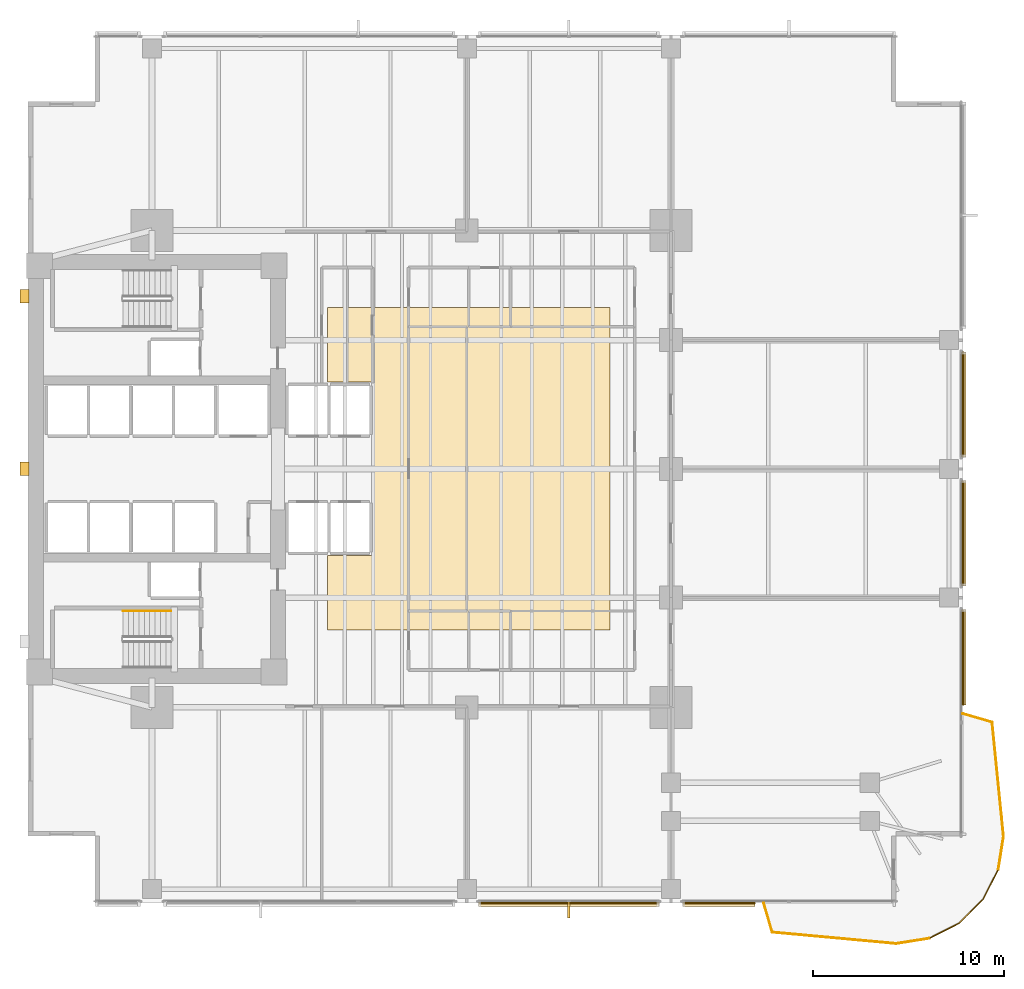
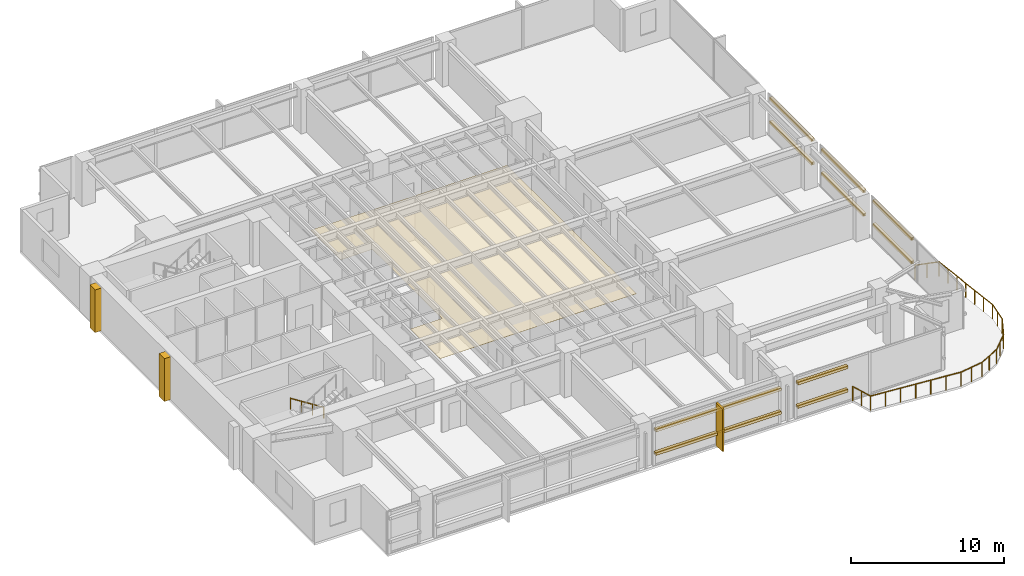
# One storey, part 13 of 15: 14 coverings, 10 railings, 10 shading devices.
"""IFC4 building model written with IfcOpenShell, lengths in metres."""

from ifc_helpers import new_model, si_unit, direction, frame, origin, origin_2d, place, context, subcontext, project, spatial, polyline, rectangle, circle, outline, extrude, material, layer, layer_set, material_profile, profile_set, type_object, element, save


model = new_model("IFC4")

# Units and contexts
model_context = context("Model", 3, precision=1e-05, world=origin(), true_north=direction((0.0, 1.0)))
body_context = subcontext(model_context, "Body", "Model", "MODEL_VIEW")
ifc_project = project(units=[si_unit("LENGTHUNIT", "METRE"), si_unit("AREAUNIT", "SQUARE_METRE"), si_unit("VOLUMEUNIT", "CUBIC_METRE"), si_unit("PLANEANGLEUNIT", "RADIAN"), si_unit("MASSUNIT", "GRAM", prefix="KILO")], contexts=[model_context])

# Site, building, storey
site_placement = place(None, origin())
site = spatial("IfcSite", under=ifc_project, at=site_placement, CompositionType="ELEMENT")
building_placement = place(site_placement, origin())
building = spatial("IfcBuilding", under=site, at=building_placement, Name="Kinhvarn Gate Tower", CompositionType="ELEMENT")
storey_placement = place(building_placement, frame((0.0, 0.0, 32.699951171875)))
storey = spatial("IfcBuildingStorey", under=building, at=storey_placement, Name="L07", CompositionType="ELEMENT", Elevation=32.699951171875)

# Coverings
ifc_material_1 = material(Name="Fired architectural terracotta", Category="masonry")
ifc_layer_1 = layer(ifc_material_1, 0.239990234375)
ifc_layer_set_1 = layer_set([ifc_layer_1], Name="Fired architectural terracotta")
covering_type_1 = type_object("IfcCoveringType", Name="COV-BAG-220", PredefinedType="CLADDING", material=ifc_layer_set_1)
covering_1_placement = place(storey_placement, frame((0.0, 0.0, 0.93994140625)))
element("IfcCovering", 1, at=covering_1_placement, inside=storey, type_object=covering_type_1, Name="Terracotta Horizontal Sunscreen Band TBG-220 (L07)", PredefinedType="CLADDING", context=body_context, shape_type="SweptSolid", body=[
    extrude(outline(polyline([(28.1201171875, 2.56005859375), (37.580078125, 2.56005859375), (37.580078125, 2.320068359375), (28.1201171875, 2.320068359375), (28.1201171875, 2.56005859375)])), origin(), (0.0, 0.0, 1.0), 0.22021484375),
])
covering_2_placement = place(storey_placement, frame((0.0, 0.0, 2.81005859375)))
element("IfcCovering", 2, at=covering_2_placement, inside=storey, type_object=covering_type_1, Name="Terracotta Horizontal Sunscreen Band TBG-220 (L07)", PredefinedType="CLADDING", context=body_context, shape_type="SweptSolid", body=[
    extrude(outline(polyline([(28.1201171875, 2.56005859375), (37.580078125, 2.56005859375), (37.580078125, 2.320068359375), (28.1201171875, 2.320068359375), (28.1201171875, 2.56005859375)])), origin(), (0.0, 0.0, 1.0), 0.219970703125),
])
covering_3_placement = place(storey_placement, frame((0.0, 0.0, 0.93994140625)))
element("IfcCovering", 3, at=covering_3_placement, inside=storey, type_object=covering_type_1, Name="Terracotta Horizontal Sunscreen Band TBG-220 (L07)", PredefinedType="CLADDING", context=body_context, shape_type="SweptSolid", body=[
    extrude(outline(polyline([(38.820068359375, 2.56005859375), (42.614013671875, 2.56005859375), (42.614013671875, 2.320068359375), (38.820068359375, 2.320068359375), (38.820068359375, 2.56005859375)])), origin(), (0.0, 0.0, 1.0), 0.22021484375),
])
covering_4_placement = place(storey_placement, frame((0.0, 0.0, 2.81005859375)))
element("IfcCovering", 4, at=covering_4_placement, inside=storey, type_object=covering_type_1, Name="Terracotta Horizontal Sunscreen Band TBG-220 (L07)", PredefinedType="CLADDING", context=body_context, shape_type="SweptSolid", body=[
    extrude(outline(polyline([(38.820068359375, 2.56005859375), (42.614013671875, 2.56005859375), (42.614013671875, 2.320068359375), (38.820068359375, 2.320068359375), (38.820068359375, 2.56005859375)])), origin(), (0.0, 0.0, 1.0), 0.219970703125),
])
covering_5_placement = place(storey_placement, frame((0.0, 0.0, 0.93994140625)))
element("IfcCovering", 5, at=covering_5_placement, inside=storey, type_object=covering_type_1, Name="Terracotta Horizontal Sunscreen Band TBG-220 (L07)", PredefinedType="CLADDING", context=body_context, shape_type="SweptSolid", body=[
    extrude(outline(polyline([(53.43994140625, 12.865966796875), (53.43994140625, 17.8798828125), (53.679931640625, 17.8798828125), (53.679931640625, 12.865966796875), (53.43994140625, 12.865966796875)])), origin(), (0.0, 0.0, 1.0), 0.22021484375),
])
covering_6_placement = place(storey_placement, frame((0.0, 0.0, 2.81005859375)))
element("IfcCovering", 6, at=covering_6_placement, inside=storey, type_object=covering_type_1, Name="Terracotta Horizontal Sunscreen Band TBG-220 (L07)", PredefinedType="CLADDING", context=body_context, shape_type="SweptSolid", body=[
    extrude(outline(polyline([(53.43994140625, 12.865966796875), (53.43994140625, 17.8798828125), (53.679931640625, 17.8798828125), (53.679931640625, 12.865966796875), (53.43994140625, 12.865966796875)])), origin(), (0.0, 0.0, 1.0), 0.219970703125),
])
covering_7_placement = place(storey_placement, frame((0.0, 0.0, 0.93994140625)))
element("IfcCovering", 7, at=covering_7_placement, inside=storey, type_object=covering_type_1, Name="Terracotta Horizontal Sunscreen Band TBG-220 (L07)", PredefinedType="CLADDING", context=body_context, shape_type="SweptSolid", body=[
    extrude(outline(polyline([(53.43994140625, 19.1201171875), (53.43994140625, 24.6298828125), (53.679931640625, 24.6298828125), (53.679931640625, 19.1201171875), (53.43994140625, 19.1201171875)])), origin(), (0.0, 0.0, 1.0), 0.22021484375),
])
covering_8_placement = place(storey_placement, frame((0.0, 0.0, 2.81005859375)))
element("IfcCovering", 8, at=covering_8_placement, inside=storey, type_object=covering_type_1, Name="Terracotta Horizontal Sunscreen Band TBG-220 (L07)", PredefinedType="CLADDING", context=body_context, shape_type="SweptSolid", body=[
    extrude(outline(polyline([(53.43994140625, 19.1201171875), (53.43994140625, 24.6298828125), (53.679931640625, 24.6298828125), (53.679931640625, 19.1201171875), (53.43994140625, 19.1201171875)])), origin(), (0.0, 0.0, 1.0), 0.219970703125),
])
covering_9_placement = place(storey_placement, frame((0.0, 0.0, 0.93994140625)))
element("IfcCovering", 9, at=covering_9_placement, inside=storey, type_object=covering_type_1, Name="Terracotta Horizontal Sunscreen Band TBG-220 (L07)", PredefinedType="CLADDING", context=body_context, shape_type="SweptSolid", body=[
    extrude(outline(polyline([(53.43994140625, 25.8701171875), (53.43994140625, 31.3798828125), (53.679931640625, 31.3798828125), (53.679931640625, 25.8701171875), (53.43994140625, 25.8701171875)])), origin(), (0.0, 0.0, 1.0), 0.22021484375),
])
covering_10_placement = place(storey_placement, frame((0.0, 0.0, 2.81005859375)))
element("IfcCovering", 10, at=covering_10_placement, inside=storey, type_object=covering_type_1, Name="Terracotta Horizontal Sunscreen Band TBG-220 (L07)", PredefinedType="CLADDING", context=body_context, shape_type="SweptSolid", body=[
    extrude(outline(polyline([(53.43994140625, 25.8701171875), (53.43994140625, 31.3798828125), (53.679931640625, 31.3798828125), (53.679931640625, 25.8701171875), (53.43994140625, 25.8701171875)])), origin(), (0.0, 0.0, 1.0), 0.219970703125),
])
ifc_material_2 = material(Name="Mineral-fibre acoustic ceiling tile")
ifc_layer_2 = layer(ifc_material_2, 0.02001953125)
ifc_layer_set_2 = layer_set([ifc_layer_2], Name="Mineral-fibre acoustic ceiling tile")
covering_type_2 = type_object("IfcCoveringType", Name="COV-CEIL-20", PredefinedType="CEILING", material=ifc_layer_set_2)
covering_11_placement = place(storey_placement, frame((0.0, 0.0, 2.650146484375)))
element("IfcCovering", 11, at=covering_11_placement, inside=storey, type_object=covering_type_2, Name="Suspended Acoustic Ceiling Tile (L07-1)", PredefinedType="CEILING", context=body_context, shape_type="SweptSolid", body=[
    extrude(outline(polyline([(35.0, 33.699951171875), (35.0, 16.800048828125), (20.199951171875, 16.800048828125), (20.199951171875, 20.699951171875), (22.60009765625, 20.699951171875), (22.60009765625, 29.800048828125), (20.199951171875, 29.800048828125), (20.199951171875, 33.699951171875), (35.0, 33.699951171875)])), origin(), (0.0, 0.0, 1.0), 0.02001953125),
])
ifc_layer_3 = layer(ifc_material_1, 0.139892578125)
ifc_layer_set_3 = layer_set([ifc_layer_3], Name="Fired architectural terracotta")
covering_type_3 = type_object("IfcCoveringType", Name="COV-FIN-850", PredefinedType="CLADDING", material=ifc_layer_set_3)
covering_12_placement = place(storey_placement, frame((0.0, 0.0, -0.02001953125)))
element("IfcCovering", 12, at=covering_12_placement, inside=storey, type_object=covering_type_3, Name="Vertical Terracotta Expressive Fin TFN-850 (L07)", PredefinedType="CLADDING", context=body_context, shape_type="SweptSolid", body=[
    extrude(outline(polyline([(32.780029296875, 2.570068359375), (32.919921875, 2.570068359375), (32.919921875, 1.719970703125), (32.780029296875, 1.719970703125), (32.780029296875, 2.570068359375)])), origin(), (0.0, 0.0, 1.0), 3.41015625),
])
ifc_material_3 = material(Name="Precast white architectural concrete C40/50", Category="concrete")
ifc_layer_4 = layer(ifc_material_3, 0.47998046875)
ifc_layer_set_4 = layer_set([ifc_layer_4], Name="Precast white architectural concrete C40/50")
covering_type_4 = type_object("IfcCoveringType", Name="COV-RIB-450", PredefinedType="CLADDING", material=ifc_layer_set_4)
covering_13_placement = place(storey_placement, frame((0.0, 0.0, -0.02001953125)))
element("IfcCovering", 13, at=covering_13_placement, inside=storey, type_object=covering_type_4, Name="West Core Sculptural Concrete Relief Rib CRB-450 (L07)", PredefinedType="CLADDING", context=body_context, shape_type="SweptSolid", body=[
    extrude(outline(polyline([(4.080078125, 24.89990234375), (4.56005859375, 24.89990234375), (4.56005859375, 25.60009765625), (4.080078125, 25.60009765625), (4.080078125, 24.89990234375)])), origin(), (0.0, 0.0, 1.0), 3.41015625),
])
covering_14_placement = place(storey_placement, frame((0.0, 0.0, -0.02001953125)))
element("IfcCovering", 14, at=covering_14_placement, inside=storey, type_object=covering_type_4, Name="West Core Sculptural Concrete Relief Rib CRB-450 (L07)", PredefinedType="CLADDING", context=body_context, shape_type="SweptSolid", body=[
    extrude(outline(polyline([(4.080078125, 33.949951171875), (4.56005859375, 33.949951171875), (4.56005859375, 34.64990234375), (4.080078125, 34.64990234375), (4.080078125, 33.949951171875)])), origin(), (0.0, 0.0, 1.0), 3.41015625),
])

# Railings
ifc_material_4 = material(Name="Clear low-e double glazing", Category="glass")
railing_type_1 = type_object("IfcRailingType", Name="RL-BAL-1150", PredefinedType="BALUSTRADE", material=ifc_material_4)
railing_1_placement = place(storey_placement, frame((43.06396484375, 2.5, 0.0)))
element("IfcRailing", 15, at=railing_1_placement, inside=storey, type_object=railing_type_1, Name="S-Carve Balcony Guardrail Seg 1 (L07)", PredefinedType="BALUSTRADE", context=body_context, shape_type="SweptSolid", body=[
    extrude(circle(Radius=0.02392578125, at=origin_2d()), frame((0.0, 0.0, 1.1259765625), z_axis=(0.280936423121, -0.959726380884, 0.0), x_axis=(0.959726380884, 0.280936423121, 0.0)), (0.0, 0.0, 1.0), 1.6015625),
    extrude(circle(Radius=0.02099609375, at=origin_2d()), origin(), (0.0, 0.0, 1.0), 1.101806640625),
    extrude(circle(Radius=0.02099609375, at=origin_2d()), frame((0.22509765625, -0.7685546875, 0.0)), (0.0, 0.0, 1.0), 1.101806640625),
    extrude(circle(Radius=0.02099609375, at=origin_2d()), frame((0.449951171875, -1.537109375, 0.0)), (0.0, 0.0, 1.0), 1.101806640625),
])
railing_2_placement = place(storey_placement, frame((43.513916015625, 0.962890625, 0.0)))
element("IfcRailing", 16, at=railing_2_placement, inside=storey, type_object=railing_type_1, Name="S-Carve Balcony Guardrail Seg 2 (L07)", PredefinedType="BALUSTRADE", context=body_context, shape_type="SweptSolid", body=[
    extrude(circle(Radius=0.02392578125, at=origin_2d()), frame((0.0, 0.0, 1.1259765625), z_axis=(0.995778124295, -0.091792849264, 0.0), x_axis=(0.091792849264, 0.995778124295, 0.0)), (0.0, 0.0, 1.0), 6.513671875),
    extrude(circle(Radius=0.02099609375, at=origin_2d()), origin(), (0.0, 0.0, 1.0), 1.101806640625),
    extrude(circle(Radius=0.02099609375, at=origin_2d()), frame((1.0810546875, -0.099609375, 0.0)), (0.0, 0.0, 1.0), 1.101806640625),
    extrude(circle(Radius=0.02099609375, at=origin_2d()), frame((2.162109375, -0.19921875, 0.0)), (0.0, 0.0, 1.0), 1.101806640625),
    extrude(circle(Radius=0.02099609375, at=origin_2d()), frame((3.2431640625, -0.298828125, 0.0)), (0.0, 0.0, 1.0), 1.101806640625),
    extrude(circle(Radius=0.02099609375, at=origin_2d()), frame((4.323974609375, -0.398681640625, 0.0)), (0.0, 0.0, 1.0), 1.101806640625),
    extrude(circle(Radius=0.02099609375, at=origin_2d()), frame((5.405029296875, -0.498291015625, 0.0)), (0.0, 0.0, 1.0), 1.101806640625),
    extrude(circle(Radius=0.02099609375, at=origin_2d()), frame((6.486083984375, -0.597900390625, 0.0)), (0.0, 0.0, 1.0), 1.101806640625),
])
railing_3_placement = place(storey_placement, frame((50.0, 0.364990234375, 0.0)))
element("IfcRailing", 17, at=railing_3_placement, inside=storey, type_object=railing_type_1, Name="S-Carve Balcony Guardrail Seg 3 (L07)", PredefinedType="BALUSTRADE", context=body_context, shape_type="SweptSolid", body=[
    extrude(circle(Radius=0.02392578125, at=origin_2d()), frame((0.0, 0.0, 1.1259765625), z_axis=(0.98767973375, 0.15648879685, 0.0), x_axis=(-0.15648879685, 0.98767973375, 0.0)), (0.0, 0.0, 1.0), 1.762939453125),
    extrude(circle(Radius=0.02099609375, at=origin_2d()), origin(), (0.0, 0.0, 1.0), 1.101806640625),
    extrude(circle(Radius=0.02099609375, at=origin_2d()), frame((0.87060546875, 0.137939453125, 0.0)), (0.0, 0.0, 1.0), 1.101806640625),
    extrude(circle(Radius=0.02099609375, at=origin_2d()), frame((1.7412109375, 0.27587890625, 0.0)), (0.0, 0.0, 1.0), 1.101806640625),
])
railing_4_placement = place(storey_placement, frame((51.7412109375, 0.640869140625, 0.0)))
element("IfcRailing", 18, at=railing_4_placement, inside=storey, type_object=railing_type_1, Name="S-Carve Balcony Guardrail Seg 4 (L07)", PredefinedType="BALUSTRADE", context=body_context, shape_type="SweptSolid", body=[
    extrude(circle(Radius=0.02392578125, at=origin_2d()), frame((0.0, 0.0, 1.1259765625), z_axis=(0.891051120489, 0.453902963942, 0.0), x_axis=(-0.453902963942, 0.891051120489, 0.0)), (0.0, 0.0, 1.0), 1.76318359375),
    extrude(circle(Radius=0.02099609375, at=origin_2d()), origin(), (0.0, 0.0, 1.0), 1.101806640625),
    extrude(circle(Radius=0.02099609375, at=origin_2d()), frame((0.78564453125, 0.400146484375, 0.0)), (0.0, 0.0, 1.0), 1.101806640625),
    extrude(circle(Radius=0.02099609375, at=origin_2d()), frame((1.571044921875, 0.80029296875, 0.0)), (0.0, 0.0, 1.0), 1.101806640625),
])
railing_5_placement = place(storey_placement, frame((53.312255859375, 1.441162109375, 0.0)))
element("IfcRailing", 19, at=railing_5_placement, inside=storey, type_object=railing_type_1, Name="S-Carve Balcony Guardrail Seg 5 (L07)", PredefinedType="BALUSTRADE", context=body_context, shape_type="SweptSolid", body=[
    extrude(circle(Radius=0.02392578125, at=origin_2d()), frame((0.0, 0.0, 1.1259765625), z_axis=(0.707106781187, 0.707106781187, 0.0), x_axis=(-0.707106781187, 0.707106781187, 0.0)), (0.0, 0.0, 1.0), 1.762939453125),
    extrude(circle(Radius=0.02099609375, at=origin_2d()), origin(), (0.0, 0.0, 1.0), 1.101806640625),
    extrude(circle(Radius=0.02099609375, at=origin_2d()), frame((0.623291015625, 0.623291015625, 0.0)), (0.0, 0.0, 1.0), 1.101806640625),
    extrude(circle(Radius=0.02099609375, at=origin_2d()), frame((1.24658203125, 1.24658203125, 0.0)), (0.0, 0.0, 1.0), 1.101806640625),
])
railing_6_placement = place(storey_placement, frame((54.558837890625, 2.687744140625, 0.0)))
element("IfcRailing", 20, at=railing_6_placement, inside=storey, type_object=railing_type_1, Name="S-Carve Balcony Guardrail Seg 6 (L07)", PredefinedType="BALUSTRADE", context=body_context, shape_type="SweptSolid", body=[
    extrude(circle(Radius=0.02392578125, at=origin_2d()), frame((0.0, 0.0, 1.1259765625), z_axis=(0.453902963942, 0.891051120489, 0.0), x_axis=(-0.891051120489, 0.453902963942, 0.0)), (0.0, 0.0, 1.0), 1.76318359375),
    extrude(circle(Radius=0.02099609375, at=origin_2d()), origin(), (0.0, 0.0, 1.0), 1.101806640625),
    extrude(circle(Radius=0.02099609375, at=origin_2d()), frame((0.400146484375, 0.78564453125, 0.0)), (0.0, 0.0, 1.0), 1.101806640625),
    extrude(circle(Radius=0.02099609375, at=origin_2d()), frame((0.80029296875, 1.571044921875, 0.0)), (0.0, 0.0, 1.0), 1.101806640625),
])
railing_7_placement = place(storey_placement, frame((55.359130859375, 4.2587890625, 0.0)))
element("IfcRailing", 21, at=railing_7_placement, inside=storey, type_object=railing_type_1, Name="S-Carve Balcony Guardrail Seg 7 (L07)", PredefinedType="BALUSTRADE", context=body_context, shape_type="SweptSolid", body=[
    extrude(circle(Radius=0.02392578125, at=origin_2d()), frame((0.0, 0.0, 1.1259765625), z_axis=(0.15648879685, 0.98767973375, 0.0), x_axis=(-0.98767973375, 0.15648879685, 0.0)), (0.0, 0.0, 1.0), 1.762939453125),
    extrude(circle(Radius=0.02099609375, at=origin_2d()), origin(), (0.0, 0.0, 1.0), 1.101806640625),
    extrude(circle(Radius=0.02099609375, at=origin_2d()), frame((0.137939453125, 0.87060546875, 0.0)), (0.0, 0.0, 1.0), 1.101806640625),
    extrude(circle(Radius=0.02099609375, at=origin_2d()), frame((0.27587890625, 1.7412109375, 0.0)), (0.0, 0.0, 1.0), 1.101806640625),
])
railing_8_placement = place(storey_placement, frame((55.635009765625, 6.0, 0.0)))
element("IfcRailing", 22, at=railing_8_placement, inside=storey, type_object=railing_type_1, Name="S-Carve Balcony Guardrail Seg 8 (L07)", PredefinedType="BALUSTRADE", context=body_context, shape_type="SweptSolid", body=[
    extrude(circle(Radius=0.02392578125, at=origin_2d()), frame((0.0, 0.0, 1.1259765625), z_axis=(-0.0997173833, 0.995015800612, 0.0), x_axis=(-0.995015800612, -0.0997173833, 0.0)), (0.0, 0.0, 1.0), 5.995849609375),
    extrude(circle(Radius=0.02099609375, at=origin_2d()), origin(), (0.0, 0.0, 1.0), 1.101806640625),
    extrude(circle(Radius=0.02099609375, at=origin_2d()), frame((-0.099609375, 0.994384765625, 0.0)), (0.0, 0.0, 1.0), 1.101806640625),
    extrude(circle(Radius=0.02099609375, at=origin_2d()), frame((-0.19921875, 1.98876953125, 0.0)), (0.0, 0.0, 1.0), 1.101806640625),
    extrude(circle(Radius=0.02099609375, at=origin_2d()), frame((-0.298828125, 2.98291015625, 0.0)), (0.0, 0.0, 1.0), 1.101806640625),
    extrude(circle(Radius=0.02099609375, at=origin_2d()), frame((-0.398681640625, 3.977294921875, 0.0)), (0.0, 0.0, 1.0), 1.101806640625),
    extrude(circle(Radius=0.02099609375, at=origin_2d()), frame((-0.498291015625, 4.9716796875, 0.0)), (0.0, 0.0, 1.0), 1.101806640625),
    extrude(circle(Radius=0.02099609375, at=origin_2d()), frame((-0.597900390625, 5.966064453125, 0.0)), (0.0, 0.0, 1.0), 1.101806640625),
])
railing_9_placement = place(storey_placement, frame((55.037109375, 11.966064453125, 0.0)))
element("IfcRailing", 23, at=railing_9_placement, inside=storey, type_object=railing_type_1, Name="S-Carve Balcony Guardrail Seg 9 (L07)", PredefinedType="BALUSTRADE", context=body_context, shape_type="SweptSolid", body=[
    extrude(circle(Radius=0.02392578125, at=origin_2d()), frame((0.0, 0.0, 1.1259765625), z_axis=(-0.959726380884, 0.280936423121, 0.0), x_axis=(-0.280936423121, -0.959726380884, 0.0)), (0.0, 0.0, 1.0), 1.6015625),
    extrude(circle(Radius=0.02099609375, at=origin_2d()), origin(), (0.0, 0.0, 1.0), 1.101806640625),
    extrude(circle(Radius=0.02099609375, at=origin_2d()), frame((-0.7685546875, 0.22509765625, 0.0)), (0.0, 0.0, 1.0), 1.101806640625),
    extrude(circle(Radius=0.02099609375, at=origin_2d()), frame((-1.537109375, 0.449951171875, 0.0)), (0.0, 0.0, 1.0), 1.101806640625),
])
ifc_material_5 = material(Name="Steel S355", Category="steel")
railing_type_2 = type_object("IfcRailingType", Name="RL-ST-HND", PredefinedType="HANDRAIL", material=ifc_material_5)
railing_10_placement = place(storey_placement, frame((12.0, 17.800048828125, 0.177490234375)))
element("IfcRailing", 24, at=railing_10_placement, inside=storey, type_object=railing_type_2, Name="L07 ST1 stair handrail 1", PredefinedType="HANDRAIL", context=body_context, shape_type="SweptSolid", body=[
    extrude(circle(Radius=0.02392578125, at=origin_2d()), frame((0.0, 0.0, 0.8759765625), z_axis=(-0.84456994832, 0.0, 0.535445237532), x_axis=(0.0, -1.0, 0.0)), (0.0, 0.0, 1.0), 2.98388671875),
    extrude(circle(Radius=0.02099609375, at=origin_2d()), origin(), (0.0, 0.0, 1.0), 0.851806640625),
    extrude(circle(Radius=0.02099609375, at=origin_2d()), frame((-0.840087890625, 0.0, 0.532470703125)), (0.0, 0.0, 1.0), 0.851806640625),
    extrude(circle(Radius=0.02099609375, at=origin_2d()), frame((-1.679931640625, 0.0, 1.065185546875)), (0.0, 0.0, 1.0), 0.851806640625),
    extrude(circle(Radius=0.02099609375, at=origin_2d()), frame((-2.52001953125, 0.0, 1.59765625)), (0.0, 0.0, 1.0), 0.851806640625),
])

# Shading devices
ifc_material_profile = material_profile(ifc_material_1, rectangle(XDim=0.06005859375, YDim=0.139892578125, at=origin_2d()), Name="TC 60x140")
ifc_profile_set = profile_set([ifc_material_profile], Name="Fired architectural terracotta")
shading_device_type = type_object("IfcShadingDeviceType", Name="SHD-BAG-180", PredefinedType="USERDEFINED", material=ifc_profile_set)
for number, where, z_axis, x_axis, name in (
    (25, (28.1201171875, 2.485107421875, 1.050048828125), (1.0, 0.0, 0.0), (0.0, 1.0, 0.0), "Fired Terracotta Baguette Screen Rod 60x140 mm (L07)"),
    (26, (28.1201171875, 2.485107421875, 2.920166015625), (1.0, 0.0, 0.0), (0.0, 1.0, 0.0), "Fired Terracotta Baguette Screen Rod 60x140 mm (L07)"),
):
    element("IfcShadingDevice", number, at=place(storey_placement, frame(where, z_axis=z_axis, x_axis=x_axis)), inside=storey, type_object=shading_device_type, Name=name, ObjectType="BAGUETTE", PredefinedType="USERDEFINED", context=body_context, shape_type="SweptSolid", body=[
        extrude(rectangle(XDim=0.06005859375, YDim=0.139892578125, at=origin_2d()), origin(), (0.0, 0.0, 1.0), 9.4599609375),
    ])
for number, where, z_axis, x_axis, name in (
    (27, (38.820068359375, 2.485107421875, 1.050048828125), (1.0, 0.0, 0.0), (0.0, 1.0, 0.0), "Fired Terracotta Baguette Screen Rod 60x140 mm (L07)"),
    (28, (38.820068359375, 2.485107421875, 2.920166015625), (1.0, 0.0, 0.0), (0.0, 1.0, 0.0), "Fired Terracotta Baguette Screen Rod 60x140 mm (L07)"),
):
    element("IfcShadingDevice", number, at=place(storey_placement, frame(where, z_axis=z_axis, x_axis=x_axis)), inside=storey, type_object=shading_device_type, Name=name, ObjectType="BAGUETTE", PredefinedType="USERDEFINED", context=body_context, shape_type="SweptSolid", body=[
        extrude(rectangle(XDim=0.06005859375, YDim=0.139892578125, at=origin_2d()), origin(), (0.0, 0.0, 1.0), 3.7939453125),
    ])
for number, where, z_axis, x_axis, name in (
    (29, (53.514892578125, 12.865966796875, 1.050048828125), (0.0, 1.0, 0.0), (-1.0, 0.0, 0.0), "Fired Terracotta Baguette Screen Rod 60x140 mm (L07)"),
    (30, (53.514892578125, 12.865966796875, 2.920166015625), (0.0, 1.0, 0.0), (-1.0, 0.0, 0.0), "Fired Terracotta Baguette Screen Rod 60x140 mm (L07)"),
):
    element("IfcShadingDevice", number, at=place(storey_placement, frame(where, z_axis=z_axis, x_axis=x_axis)), inside=storey, type_object=shading_device_type, Name=name, ObjectType="BAGUETTE", PredefinedType="USERDEFINED", context=body_context, shape_type="SweptSolid", body=[
        extrude(rectangle(XDim=0.06005859375, YDim=0.139892578125, at=origin_2d()), origin(), (0.0, 0.0, 1.0), 5.013916015625),
    ])
for number, where, z_axis, x_axis, name in (
    (31, (53.514892578125, 19.1201171875, 1.050048828125), (0.0, 1.0, 0.0), (-1.0, 0.0, 0.0), "Fired Terracotta Baguette Screen Rod 60x140 mm (L07)"),
    (32, (53.514892578125, 19.1201171875, 2.920166015625), (0.0, 1.0, 0.0), (-1.0, 0.0, 0.0), "Fired Terracotta Baguette Screen Rod 60x140 mm (L07)"),
    (33, (53.514892578125, 25.8701171875, 1.050048828125), (0.0, 1.0, 0.0), (-1.0, 0.0, 0.0), "Fired Terracotta Baguette Screen Rod 60x140 mm (L07)"),
    (34, (53.514892578125, 25.8701171875, 2.920166015625), (0.0, 1.0, 0.0), (-1.0, 0.0, 0.0), "Fired Terracotta Baguette Screen Rod 60x140 mm (L07)"),
):
    element("IfcShadingDevice", number, at=place(storey_placement, frame(where, z_axis=z_axis, x_axis=x_axis)), inside=storey, type_object=shading_device_type, Name=name, ObjectType="BAGUETTE", PredefinedType="USERDEFINED", context=body_context, shape_type="SweptSolid", body=[
        extrude(rectangle(XDim=0.06005859375, YDim=0.139892578125, at=origin_2d()), origin(), (0.0, 0.0, 1.0), 5.509765625),
    ])

save(model, "model.ifc")
